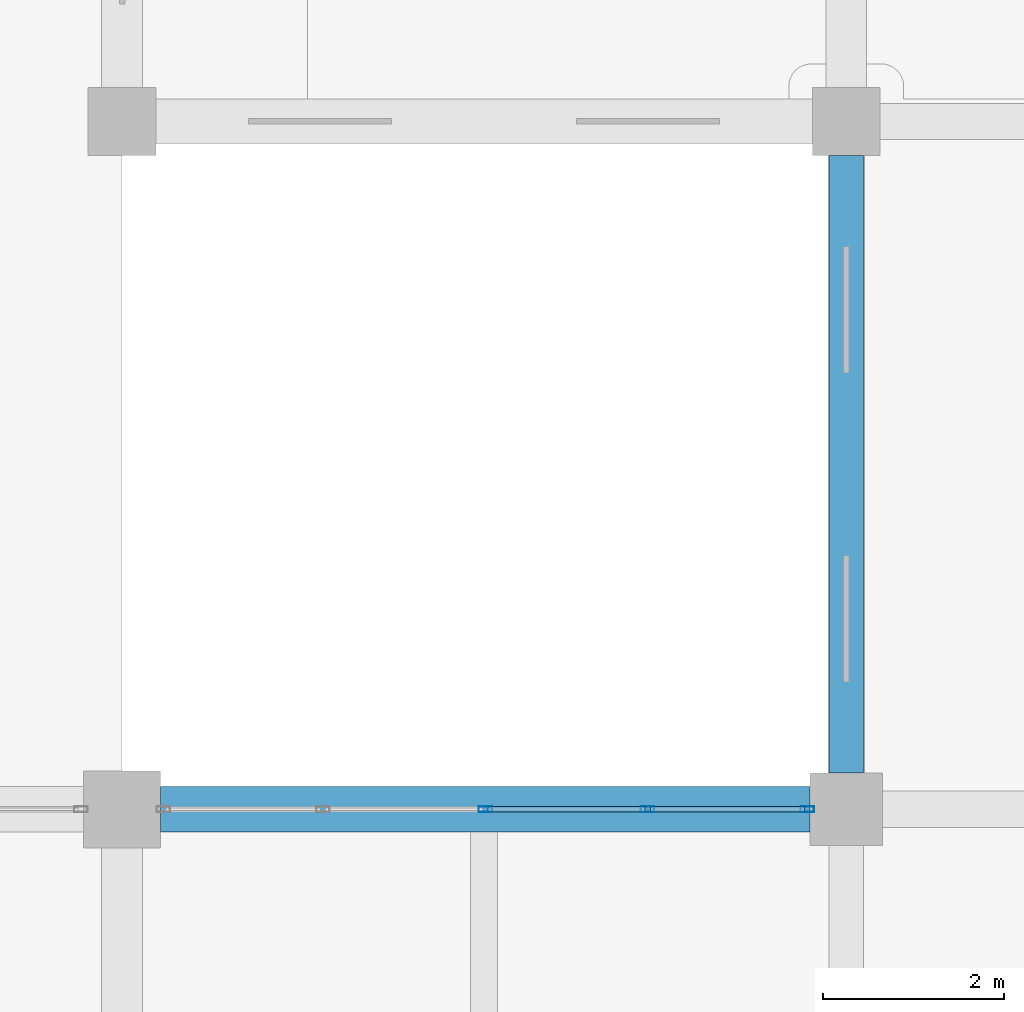
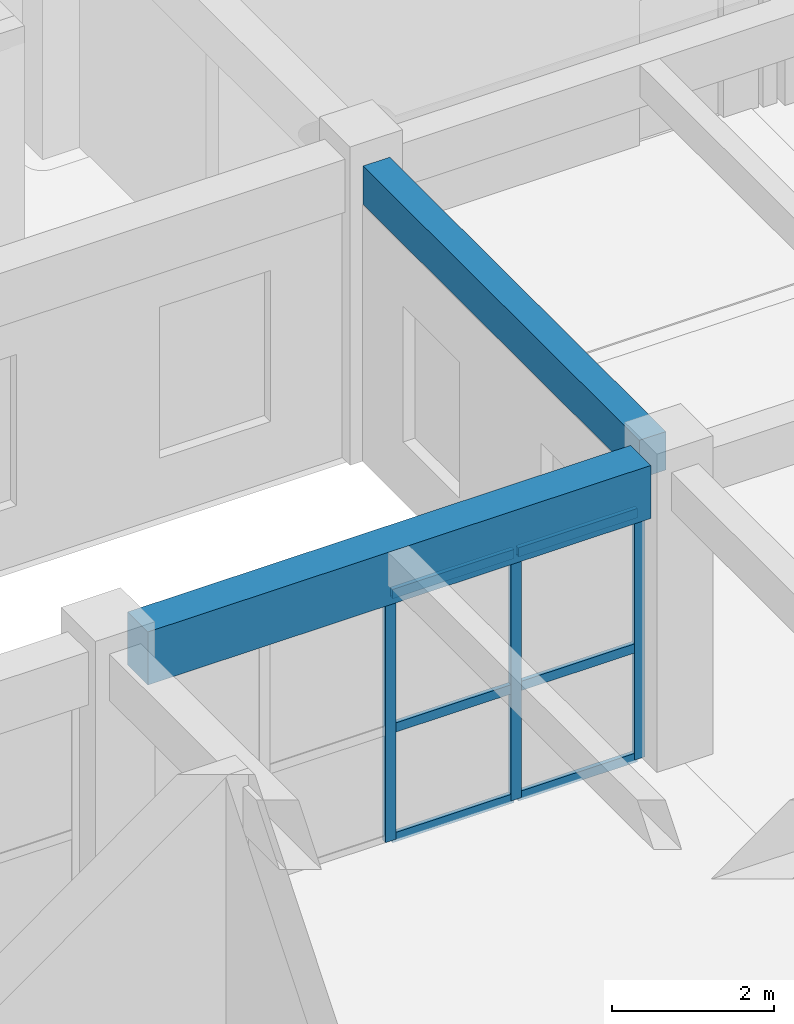
# One storey, part 45 of 101: 9 members, 2 beams, 1 element without a shape of its own.
"""IFC4 building model written with IfcOpenShell, lengths in metres."""

from ifc_helpers import new_model, si_unit, direction, frame, origin, origin_2d, place, context, subcontext, project, spatial, rectangle, hollow_rectangle, extrude, material, material_profile, profile_set, type_object, element, aggregate, save


model = new_model("IFC4")

# Units and contexts
model_context = context("Model", 3, precision=1e-05, world=origin(), true_north=direction((0.0, 1.0)))
body_context = subcontext(model_context, "Body", "Model", "MODEL_VIEW")
ifc_project = project(units=[si_unit("LENGTHUNIT", "METRE"), si_unit("AREAUNIT", "SQUARE_METRE"), si_unit("VOLUMEUNIT", "CUBIC_METRE"), si_unit("PLANEANGLEUNIT", "RADIAN"), si_unit("MASSUNIT", "GRAM", prefix="KILO")], contexts=[model_context])

# Site, building, storey
site_placement = place(None, origin())
site = spatial("IfcSite", under=ifc_project, at=site_placement, CompositionType="ELEMENT")
building_placement = place(site_placement, origin())
building = spatial("IfcBuilding", under=site, at=building_placement, Name="Zantavel Square City Hall", CompositionType="ELEMENT")
storey_placement = place(building_placement, frame((0.0, 0.0, 5.39990234375)))
storey = spatial("IfcBuildingStorey", under=building, at=storey_placement, Name="L02", CompositionType="ELEMENT", Elevation=5.39990234375)

# Beam
ifc_material_1 = material(Name="Concrete C35/45", Category="concrete")
ifc_material_profile_1 = material_profile(ifc_material_1, rectangle(XDim=0.3798828125, YDim=0.580078125, at=origin_2d()), Name="RC 380x580")
ifc_profile_set_1 = profile_set([ifc_material_profile_1], Name="Concrete C35/45")
beam_type_1 = type_object("IfcBeamType", Name="Annex Secondary Beam RC 380x580 C35/45", PredefinedType="BEAM", material=ifc_profile_set_1)
beam_1_placement = place(storey_placement, frame((112.0, 68.800048828125, 4.16015625), z_axis=(0.0, 1.0, 0.0), x_axis=(-1.0, 0.0, 0.0)))
element("IfcBeam", 1, at=beam_1_placement, inside=storey, type_object=beam_type_1, Name="L02 Beam BMY-L02-1120-0684", PredefinedType="BEAM", context=body_context, shape_type="SweptSolid", body=[
    extrude(rectangle(XDim=0.3798828125, YDim=0.580078125, at=origin_2d()), origin(), (0.0, 0.0, 1.0), 6.824951171875),
])

# Curtain wall, members
ifc_material_2 = material(Name="Anodised aluminium 6063-T6", Category="aluminium")
curtain_wall_type = type_object("IfcCurtainWallType", Name="Curtain Wall TRV1 7175x3740", PredefinedType="USERDEFINED", material=ifc_material_2)
curtain_wall_placement = place(storey_placement, origin())
curtain_wall = element("IfcCurtainWall", 2, at=curtain_wall_placement, inside=storey, type_object=curtain_wall_type, Name="L02 Glazed Curtain Wall CW-L02-043", ObjectType="GLAZED CURTAIN WALL", PredefinedType="USERDEFINED")
ifc_material_profile_2 = material_profile(ifc_material_2, hollow_rectangle(XDim=0.06494140625, YDim=0.14990234375, WallThickness=0.00390625, at=origin_2d()), Name="ALU 65x150x4")
ifc_profile_set_2 = profile_set([ifc_material_profile_2], Name="Anodised aluminium 6063-T6")
member_type_1 = type_object("IfcMemberType", Name="CW Mullion ALU 65x150x4", PredefinedType="MULLION", material=ifc_profile_set_2)
member_1_placement = place(storey_placement, frame((108.012451171875, 68.39990234375, 0.0), z_axis=(0.0, 0.0, 1.0), x_axis=(0.0, 1.0, 0.0)))
member_1 = element("IfcMember", 3, at=member_1_placement, type_object=member_type_1, Name="CW-043 mullion 3", PredefinedType="MULLION", context=body_context, shape_type="SweptSolid", body=[
    extrude(hollow_rectangle(XDim=0.06494140625, YDim=0.14990234375, WallThickness=0.00390625, at=origin_2d()), origin(), (0.0, 0.0, 1.0), 3.739990234375),
])
member_2_placement = place(storey_placement, frame((109.80615234375, 68.39990234375, 0.0), z_axis=(0.0, 0.0, 1.0), x_axis=(0.0, 1.0, 0.0)))
member_2 = element("IfcMember", 4, at=member_2_placement, type_object=member_type_1, Name="CW-043 mullion 4", PredefinedType="MULLION", context=body_context, shape_type="SweptSolid", body=[
    extrude(hollow_rectangle(XDim=0.06494140625, YDim=0.14990234375, WallThickness=0.00390625, at=origin_2d()), origin(), (0.0, 0.0, 1.0), 3.739990234375),
])
member_3_placement = place(storey_placement, frame((111.570068359375, 68.39990234375, 0.0), z_axis=(0.0, 0.0, 1.0), x_axis=(0.0, 1.0, 0.0)))
member_3 = element("IfcMember", 5, at=member_3_placement, type_object=member_type_1, Name="CW-043 mullion 5", PredefinedType="MULLION", context=body_context, shape_type="SweptSolid", body=[
    extrude(hollow_rectangle(XDim=0.06494140625, YDim=0.14990234375, WallThickness=0.00390625, at=origin_2d()), origin(), (0.0, 0.0, 1.0), 3.739990234375),
])
ifc_material_profile_3 = material_profile(ifc_material_2, hollow_rectangle(XDim=0.06005859375, YDim=0.139892578125, WallThickness=0.00390625, at=origin_2d()), Name="ALU 60x140x4")
ifc_profile_set_3 = profile_set([ifc_material_profile_3], Name="Anodised aluminium 6063-T6")
member_type_2 = type_object("IfcMemberType", Name="CW Transom ALU 60x140x4", PredefinedType="USERDEFINED", material=ifc_profile_set_3)
member_4_placement = place(storey_placement, frame((108.04248046875, 68.39990234375, 0.030029296875), z_axis=(1.0, 0.0, 0.0), x_axis=(0.0, 1.0, 0.0)))
member_4 = element("IfcMember", 6, at=member_4_placement, type_object=member_type_2, Name="CW-043 transom 3.1", ObjectType="TRANSOM", PredefinedType="USERDEFINED", context=body_context, shape_type="SweptSolid", body=[
    extrude(hollow_rectangle(XDim=0.06005859375, YDim=0.139892578125, WallThickness=0.00390625, at=origin_2d()), origin(), (0.0, 0.0, 1.0), 1.73388671875),
])
member_5_placement = place(storey_placement, frame((108.04248046875, 68.39990234375, 1.68310546875), z_axis=(1.0, 0.0, 0.0), x_axis=(0.0, 1.0, 0.0)))
member_5 = element("IfcMember", 7, at=member_5_placement, type_object=member_type_2, Name="CW-043 transom 3.2", ObjectType="TRANSOM", PredefinedType="USERDEFINED", context=body_context, shape_type="SweptSolid", body=[
    extrude(hollow_rectangle(XDim=0.06005859375, YDim=0.139892578125, WallThickness=0.00390625, at=origin_2d()), origin(), (0.0, 0.0, 1.0), 1.73388671875),
])
member_6_placement = place(storey_placement, frame((108.04248046875, 68.39990234375, 3.710205078125), z_axis=(1.0, 0.0, 0.0), x_axis=(0.0, 1.0, 0.0)))
member_6 = element("IfcMember", 8, at=member_6_placement, type_object=member_type_2, Name="CW-043 transom 3.3", ObjectType="TRANSOM", PredefinedType="USERDEFINED", context=body_context, shape_type="SweptSolid", body=[
    extrude(hollow_rectangle(XDim=0.06005859375, YDim=0.139892578125, WallThickness=0.00390625, at=origin_2d()), origin(), (0.0, 0.0, 1.0), 1.73388671875),
])
member_7_placement = place(storey_placement, frame((109.836181640625, 68.39990234375, 0.030029296875), z_axis=(1.0, 0.0, 0.0), x_axis=(0.0, 1.0, 0.0)))
member_7 = element("IfcMember", 9, at=member_7_placement, type_object=member_type_2, Name="CW-043 transom 4.1", ObjectType="TRANSOM", PredefinedType="USERDEFINED", context=body_context, shape_type="SweptSolid", body=[
    extrude(hollow_rectangle(XDim=0.06005859375, YDim=0.139892578125, WallThickness=0.00390625, at=origin_2d()), origin(), (0.0, 0.0, 1.0), 1.703857421875),
])
member_8_placement = place(storey_placement, frame((109.836181640625, 68.39990234375, 1.68310546875), z_axis=(1.0, 0.0, 0.0), x_axis=(0.0, 1.0, 0.0)))
member_8 = element("IfcMember", 10, at=member_8_placement, type_object=member_type_2, Name="CW-043 transom 4.2", ObjectType="TRANSOM", PredefinedType="USERDEFINED", context=body_context, shape_type="SweptSolid", body=[
    extrude(hollow_rectangle(XDim=0.06005859375, YDim=0.139892578125, WallThickness=0.00390625, at=origin_2d()), origin(), (0.0, 0.0, 1.0), 1.703857421875),
])
member_9_placement = place(storey_placement, frame((109.836181640625, 68.39990234375, 3.710205078125), z_axis=(1.0, 0.0, 0.0), x_axis=(0.0, 1.0, 0.0)))
member_9 = element("IfcMember", 11, at=member_9_placement, type_object=member_type_2, Name="CW-043 transom 4.3", ObjectType="TRANSOM", PredefinedType="USERDEFINED", context=body_context, shape_type="SweptSolid", body=[
    extrude(hollow_rectangle(XDim=0.06005859375, YDim=0.139892578125, WallThickness=0.00390625, at=origin_2d()), origin(), (0.0, 0.0, 1.0), 1.703857421875),
])
aggregate(curtain_wall, [member_1, member_2, member_3, member_4, member_5, member_6, member_7, member_8, member_9])

# Beam
ifc_material_profile_4 = material_profile(ifc_material_1, rectangle(XDim=0.5, YDim=0.800048828125, at=origin_2d()), Name="RC 500x800")
ifc_profile_set_4 = profile_set([ifc_material_profile_4], Name="Concrete C35/45")
beam_type_2 = type_object("IfcBeamType", Name="Primary Girder RC 500x800 C35/45", PredefinedType="BEAM", material=ifc_profile_set_4)
beam_2_placement = place(storey_placement, frame((104.425048828125, 68.39990234375, 4.14013671875), z_axis=(1.0, 0.0, 0.0), x_axis=(0.0, 1.0, 0.0)))
element("IfcBeam", 12, at=beam_2_placement, inside=storey, type_object=beam_type_2, Name="L02 Girder BMX-L02-1040-0684", PredefinedType="BEAM", context=body_context, shape_type="SweptSolid", body=[
    extrude(rectangle(XDim=0.5, YDim=0.800048828125, at=origin_2d()), origin(), (0.0, 0.0, 1.0), 7.175048828125),
])

save(model, "model.ifc")
